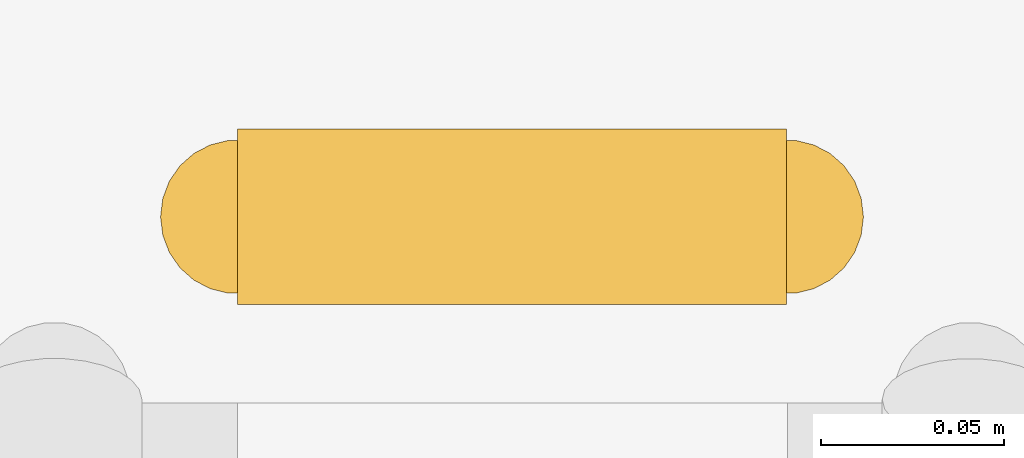
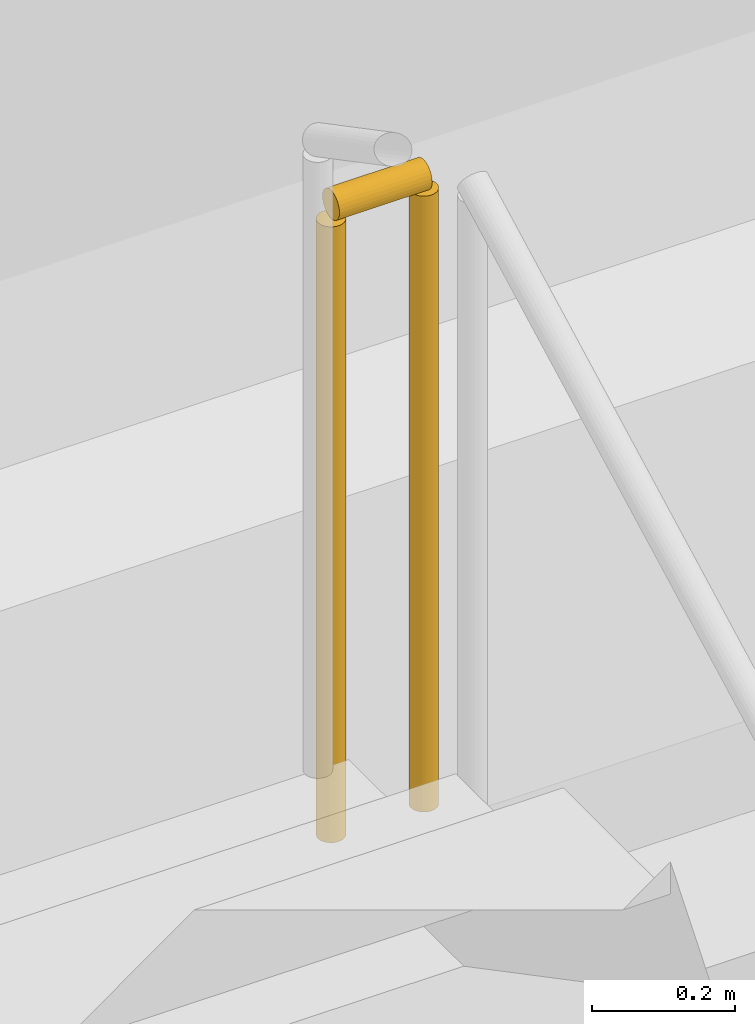
# One storey, part 165 of 198: 1 railing.
"""IFC4 building model written with IfcOpenShell, lengths in metres."""

import ifcopenshell
import ifcopenshell.guid

model = None  # the IFC model being written
_history = None  # IfcOwnerHistory: only IFC2X3 demands one
_inside = {}  # id of a spatial element -> (the spatial element, [elements in it])
_under = {}  # id of a project, library or spatial element -> (it, [spatial elements below it])
_declared = {}  # id of a project -> (the project, [libraries it declares])
_typed = {}  # id of a type object -> (the type object, [elements of that type])
_made_of = {}  # id of a material, layer set ... -> (it, [elements and type objects made of it])


def new_model(schema):
    """Start an empty IFC model of exactly this schema.

    Asked for "IFC4X3", IfcOpenShell would pick the latest addendum, in which some entities
    have other attributes; the version numbers below select the first issue.
    IFC2X3 requires an IfcOwnerHistory on every rooted entity: one is made here for all.
    """
    global model, _history
    if schema == "IFC4X3":
        model = ifcopenshell.file(schema_version=(4, 3, 0, 0))
    else:
        model = ifcopenshell.file(schema=schema)
    _inside.clear()
    _under.clear()
    _declared.clear()
    _typed.clear()
    _made_of.clear()
    _history = None
    if model.schema == "IFC2X3":
        org = make("IfcOrganization", Name="unknown")
        user = make(
            "IfcPersonAndOrganization",
            ThePerson=make("IfcPerson", FamilyName="unknown"),
            TheOrganization=org,
        )
        app = make(
            "IfcApplication",
            ApplicationDeveloper=org,
            Version="unknown",
            ApplicationFullName="unknown",
            ApplicationIdentifier="unknown",
        )
        _history = make(
            "IfcOwnerHistory",
            OwningUser=user,
            OwningApplication=app,
            ChangeAction="ADDED",
            CreationDate=0,
        )
    return model


def make(cls, **values):
    """One entity of the class cls with the attributes given. An attribute that is None is left unset."""
    return model.create_entity(
        cls, **{name: value for name, value in values.items() if value is not None}
    )


def rooted(cls, **values):
    """An entity with a GlobalId (a new one), such as an element, a storey or a relation."""
    return make(cls, GlobalId=ifcopenshell.guid.new(), OwnerHistory=_history, **values)


def si_unit(unit_type, name, prefix=None):
    """IfcSIUnit, for example si_unit("LENGTHUNIT", "METRE", prefix="MILLI")."""
    return make("IfcSIUnit", UnitType=unit_type, Prefix=prefix, Name=name)


def assignment(units):
    """IfcUnitAssignment: the units of a project."""
    return None if units is None else make("IfcUnitAssignment", Units=units)


def point(xyz):
    """IfcCartesianPoint."""
    return None if xyz is None else make("IfcCartesianPoint", Coordinates=xyz)


def direction(xyz):
    """IfcDirection."""
    return None if xyz is None else make("IfcDirection", DirectionRatios=xyz)


def frame(location, z_axis=None, x_axis=None):
    """IfcAxis2Placement3D, a coordinate frame: its origin and axes. An axis left out is left unset."""
    return make(
        "IfcAxis2Placement3D",
        Location=point(location),
        Axis=direction(z_axis),
        RefDirection=direction(x_axis),
    )


def frame_2d(location, x_axis=None):
    """IfcAxis2Placement2D, a coordinate frame in the plane: its origin and x axis."""
    return make(
        "IfcAxis2Placement2D", Location=point(location), RefDirection=direction(x_axis)
    )


def origin():
    """The frame at (0, 0, 0) with its axes left unset."""
    return frame((0.0, 0.0, 0.0))


def origin_2d():
    """The frame at (0, 0) in the plane with its x axis left unset."""
    return frame_2d((0.0, 0.0))


def place(relative_to, where):
    """IfcLocalPlacement: puts the frame where relative to a parent placement (None: the world)."""
    return make(
        "IfcLocalPlacement", PlacementRelTo=relative_to, RelativePlacement=where
    )


def context(
    kind, dimensions, precision=None, world=None, true_north=None, identifier=None
):
    """IfcGeometricRepresentationContext, for example the 3D "Model" context."""
    return make(
        "IfcGeometricRepresentationContext",
        ContextIdentifier=identifier,
        ContextType=kind,
        CoordinateSpaceDimension=dimensions,
        Precision=precision,
        WorldCoordinateSystem=world,
        TrueNorth=true_north,
    )


def subcontext(parent, identifier, kind, view, scale=None):
    """IfcGeometricRepresentationSubContext, for example "Body" below "Model"."""
    return make(
        "IfcGeometricRepresentationSubContext",
        ContextIdentifier=identifier,
        ContextType=kind,
        ParentContext=parent,
        TargetScale=scale,
        TargetView=view,
    )


def project(units=None, contexts=None):
    """IfcProject with its units and contexts."""
    return rooted(
        "IfcProject",
        Name="project",
        RepresentationContexts=contexts,
        UnitsInContext=assignment(units),
    )


def spatial(cls, under=None, at=None, **own):
    """A site, building, storey or space (cls), placed at a placement, below another one or the project."""
    s = rooted(cls, ObjectPlacement=at, **own)
    if under is not None:
        _under.setdefault(under.id(), (under, []))[1].append(s)
    return s


def profile(cls, at=None, kind="AREA", **sizes):
    """A parametric profile (cls). Its sizes go by their IFC names, for example OverallWidth=200.0."""
    return make(cls, ProfileType=kind, Position=at, **sizes)


def circle(**sizes):
    """IfcCircleProfileDef."""
    return profile("IfcCircleProfileDef", **sizes)


def extrude(swept, where, along, depth):
    """IfcExtrudedAreaSolid: the profile swept, set in the frame where, extruded along a direction by depth."""
    return make(
        "IfcExtrudedAreaSolid",
        SweptArea=swept,
        Position=where,
        ExtrudedDirection=direction(along),
        Depth=depth,
    )


def shape(context_of_items, identifier, shape_type, items):
    """IfcShapeRepresentation: the items that make up one representation, for example the "Body"."""
    return make(
        "IfcShapeRepresentation",
        ContextOfItems=context_of_items,
        RepresentationIdentifier=identifier,
        RepresentationType=shape_type,
        Items=items,
    )


def material(Name=None, Category=None):
    """IfcMaterial."""
    return make("IfcMaterial", Name=Name, Category=Category)


def constituent(of_material, Name=None, Category=None, fraction=None):
    """IfcMaterialConstituent: one of the materials an element consists of."""
    return make(
        "IfcMaterialConstituent",
        Name=Name,
        Material=of_material,
        Fraction=fraction,
        Category=Category,
    )


def constituent_set(constituents=None, Name=None):
    """IfcMaterialConstituentSet."""
    return make(
        "IfcMaterialConstituentSet", Name=Name, MaterialConstituents=constituents
    )


def made_of(thing, what):
    """Note that an element or type object is made of a material, layer set ...; save() writes the relation."""
    if what is not None:
        _made_of.setdefault(what.id(), (what, []))[1].append(thing)
    return thing


def type_object(cls, material=None, **own):
    """A type object (cls), such as IfcWallType, which elements share."""
    return made_of(rooted(cls, **own), material)


def element(
    cls,
    number,
    at=None,
    inside=None,
    cuts=None,
    type_object=None,
    material=None,
    context=None,
    identifier="Body",
    shape_type=None,
    held_by="IfcProductDefinitionShape",
    body=None,
    shapes=None,
    **own,
):
    """One element of the class cls, such as IfcWall. Its Tag is "e" and its number.

    at: its placement. inside: the storey or other place that contains it. cuts: it is an
    opening in that element (IfcRelVoidsElement). A single representation is given by context,
    identifier, shape_type and body (its items); several are given by shapes. held_by: the class
    of the entity that holds the representations. save() writes the other relations.
    """
    e = rooted(cls, Tag="e%d" % number, ObjectPlacement=at, **own)
    if body is not None:
        shapes = [shape(context, identifier, shape_type, body)]
    if shapes is not None:
        e.Representation = make(held_by, Representations=shapes)
    if inside is not None:
        _inside.setdefault(inside.id(), (inside, []))[1].append(e)
    if cuts is not None:
        rooted(
            "IfcRelVoidsElement", RelatingBuildingElement=cuts, RelatedOpeningElement=e
        )
    if type_object is not None:
        _typed.setdefault(type_object.id(), (type_object, []))[1].append(e)
    return made_of(e, material)


def aggregate(whole, parts):
    """IfcRelAggregates: a whole, such as a stair, and the parts it consists of."""
    return rooted("IfcRelAggregates", RelatingObject=whole, RelatedObjects=parts)


def save(model, path):
    """Write the relations noted so far, then the file.

    IfcRelAggregates (storeys below a building ...), IfcRelContainedInSpatialStructure (elements
    in a storey), IfcRelDefinesByType, IfcRelAssociatesMaterial and IfcRelDeclares: one each for
    every whole, place, type object, material and project.
    """
    for whole, parts in _under.values():
        aggregate(whole, parts)
    for where, things in _inside.values():
        rooted(
            "IfcRelContainedInSpatialStructure",
            RelatedElements=things,
            RelatingStructure=where,
        )
    for kind, things in _typed.values():
        rooted("IfcRelDefinesByType", RelatedObjects=things, RelatingType=kind)
    for what, things in _made_of.values():
        rooted("IfcRelAssociatesMaterial", RelatedObjects=things, RelatingMaterial=what)
    for by, libraries in _declared.values():
        rooted("IfcRelDeclares", RelatingContext=by, RelatedDefinitions=libraries)
    model.write(path)


model = new_model("IFC4")

# Units and contexts
model_context = context("Model", 3, precision=1e-05, world=origin(), true_north=direction((0.0, 1.0)))
body_context = subcontext(model_context, "Body", "Model", "MODEL_VIEW")
ifc_project = project(units=[si_unit("LENGTHUNIT", "METRE"), si_unit("AREAUNIT", "SQUARE_METRE"), si_unit("VOLUMEUNIT", "CUBIC_METRE"), si_unit("PLANEANGLEUNIT", "RADIAN"), si_unit("MASSUNIT", "GRAM", prefix="KILO")], contexts=[model_context])

# Site, building, storey
site_placement = place(None, origin())
site = spatial("IfcSite", under=ifc_project, at=site_placement, CompositionType="ELEMENT")
building_placement = place(site_placement, origin())
building = spatial("IfcBuilding", under=site, at=building_placement, Name="Opaline Strait Convention Centre", CompositionType="ELEMENT")
storey_placement = place(building_placement, origin())
storey = spatial("IfcBuildingStorey", under=building, at=storey_placement, Name="L00", CompositionType="ELEMENT", Elevation=0.0)

# Railing
ifc_material_1 = material(Name="Steel Q235B", Category="steel")
ifc_constituent_1 = constituent(ifc_material_1, Name="Frame")
ifc_material_2 = material(Name="Safety glass, bonded interlayer", Category="glass")
ifc_constituent_2 = constituent(ifc_material_2, Name="Infill")
ifc_constituent_set = constituent_set(constituents=[ifc_constituent_1, ifc_constituent_2], Name="Steel Q235B, Safety glass, bonded interlayer")
railing_type = type_object("IfcRailingType", Name="Stair guard 1100 steel and glass", PredefinedType="GUARDRAIL", material=ifc_constituent_set)
railing_placement = place(storey_placement, frame((254.14990234375, 70.39990234375, 3.0)))
element("IfcRailing", 1, at=railing_placement, inside=storey, type_object=railing_type, Name="L00 XST4 stair guard 2", PredefinedType="GUARDRAIL", context=body_context, shape_type="SweptSolid", body=[
    extrude(circle(Radius=0.02392578125, at=origin_2d()), frame((0.0, 0.0, 1.076171875), z_axis=(-1.0, 0.0, 0.0), x_axis=(0.0, -1.0, 0.0)), (0.0, 0.0, 1.0), 0.14990234375),
    extrude(circle(Radius=0.02099609375, at=origin_2d()), origin(), (0.0, 0.0, 1.0), 1.052001953125),
    extrude(circle(Radius=0.02099609375, at=origin_2d()), frame((-0.14990234375, 0.0, 0.0)), (0.0, 0.0, 1.0), 1.052001953125),
])

save(model, "model.ifc")
